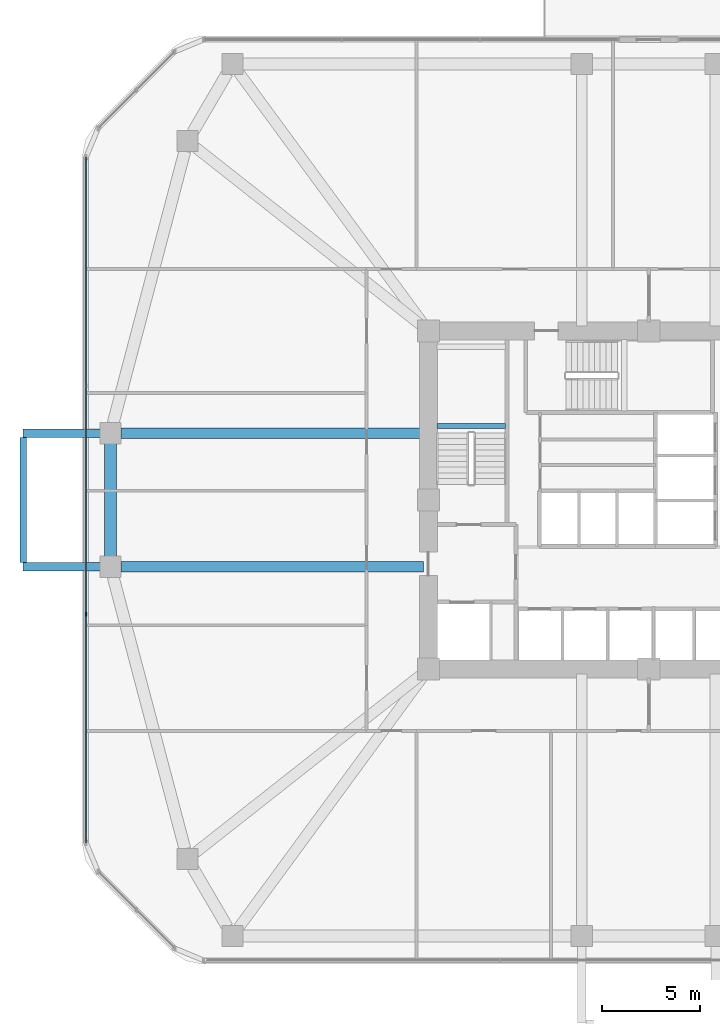
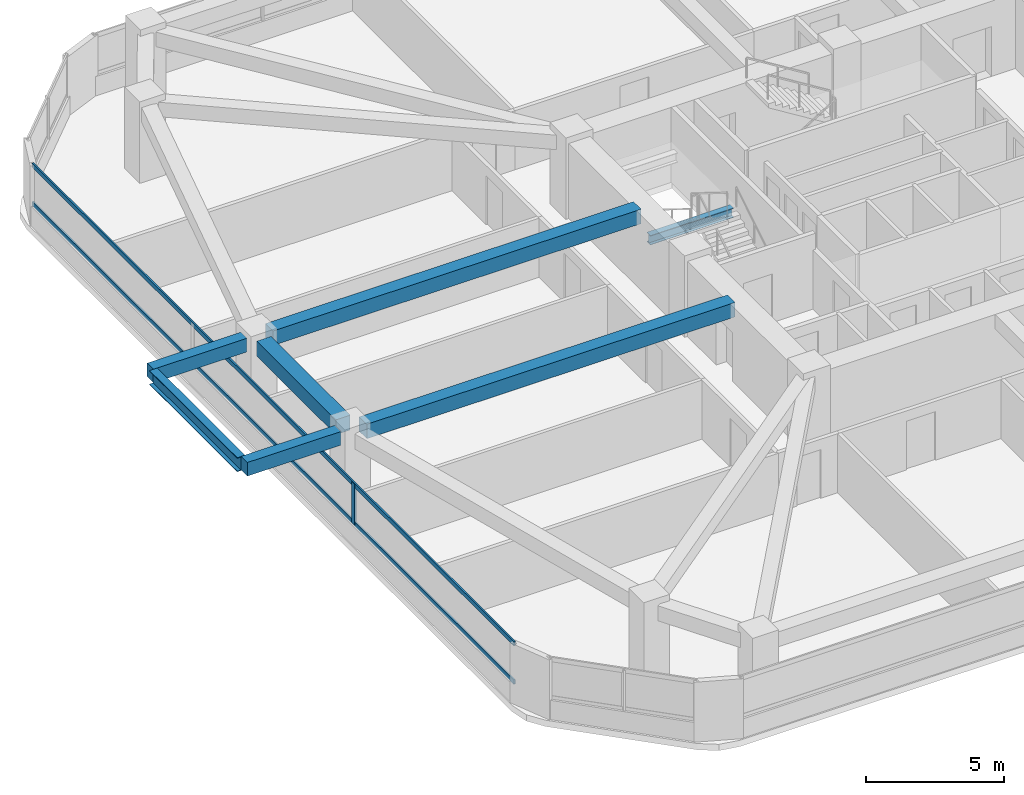
# One storey, part 4 of 14: 7 beams, 3 members, 1 element without a shape of its own.
"""IFC4 building model written with IfcOpenShell, lengths in metres."""

from ifc_helpers import new_model, si_unit, derived_unit, direction, frame, origin, origin_2d, place, context, subcontext, project, spatial, rectangle, i_section, extrude, material, material_profile, profile_set, type_object, element, aggregate, save


model = new_model("IFC4")

# Units and contexts
model_context = context("Model", 3, precision=1e-05, world=origin(), true_north=direction((0.0, 1.0)))
body_context = subcontext(model_context, "Body", "Model", "MODEL_VIEW")
ifc_project = project(units=[si_unit("LENGTHUNIT", "METRE"), si_unit("AREAUNIT", "SQUARE_METRE"), si_unit("VOLUMEUNIT", "CUBIC_METRE"), si_unit("PLANEANGLEUNIT", "RADIAN"), si_unit("MASSUNIT", "GRAM", prefix="KILO"), derived_unit("THERMALTRANSMITTANCEUNIT", [(si_unit("POWERUNIT", "WATT"), 1), (si_unit("LENGTHUNIT", "METRE"), -2), (si_unit("THERMODYNAMICTEMPERATUREUNIT", "KELVIN"), -1)])], contexts=[model_context])

# Site, building, storey
site_placement = place(None, origin())
site = spatial("IfcSite", under=ifc_project, at=site_placement, CompositionType="ELEMENT")
building_placement = place(site_placement, origin())
building = spatial("IfcBuilding", under=site, at=building_placement, Name="Koralith Skygarden Medical Center", CompositionType="ELEMENT")
storey_placement = place(building_placement, frame((0.0, 0.0, 45.5400390625)))
storey = spatial("IfcBuildingStorey", under=building, at=storey_placement, Name="L11", CompositionType="ELEMENT", Elevation=45.5400390625)

# Curtain wall, members
ifc_material_1 = material(Name="Clear Laminated Glass", Category="glass")
curtain_wall_type = type_object("IfcCurtainWallType", Name="CW-2 Zone 1 Hurricane Unitised Curtain Wall", PredefinedType="NOTDEFINED", material=ifc_material_1)
curtain_wall_placement = place(storey_placement, origin())
curtain_wall = element("IfcCurtainWall", 1, at=curtain_wall_placement, inside=storey, type_object=curtain_wall_type, Name="Curtain Wall CW-L11-W", PredefinedType="NOTDEFINED")
ifc_material_2 = material(Name="Aluminium 6063-T6", Category="aluminium")
ifc_material_profile_1 = material_profile(ifc_material_2, rectangle(XDim=0.071044921875, YDim=0.219970703125, at=origin_2d()), Name="MUL71X220")
ifc_profile_set_1 = profile_set([ifc_material_profile_1], Name="Aluminium 6063-T6")
member_type_1 = type_object("IfcMemberType", Name="CW-2 Extruded Mullion 71x220", PredefinedType="MULLION", material=ifc_profile_set_1)
member_1_placement = place(storey_placement, frame((8.3798828125, 20.0849609375, 0.849853515625), z_axis=(0.0, 0.0, 1.0), x_axis=(1.0, 0.0, 0.0)))
member_1 = element("IfcMember", 2, at=member_1_placement, type_object=member_type_1, Name="CW-L11-W Mullion 3", PredefinedType="MULLION", context=body_context, shape_type="SweptSolid", body=[
    extrude(rectangle(XDim=0.071044921875, YDim=0.219970703125, at=origin_2d()), origin(), (0.0, 0.0, 1.0), 1.800048828125),
])
ifc_material_profile_2 = material_profile(ifc_material_2, rectangle(XDim=0.06591796875, YDim=0.197998046875, at=origin_2d()), Name="TRN66X198")
ifc_profile_set_2 = profile_set([ifc_material_profile_2], Name="Aluminium 6063-T6")
member_type_2 = type_object("IfcMemberType", Name="CW-2 Thermal Transom 66x198", PredefinedType="USERDEFINED", material=ifc_profile_set_2)
member_2_placement = place(storey_placement, frame((8.3798828125, 43.344970703125, 0.89990234375), z_axis=(0.0, -1.0, 0.0), x_axis=(1.0, 0.0, 0.0)))
member_2 = element("IfcMember", 3, at=member_2_placement, type_object=member_type_2, Name="CW-L11-W Transom 1", ObjectType="TRANSOM", PredefinedType="USERDEFINED", context=body_context, shape_type="SweptSolid", body=[
    extrude(rectangle(XDim=0.06591796875, YDim=0.197998046875, at=origin_2d()), origin(), (0.0, 0.0, 1.0), 34.889892578125),
])
member_3_placement = place(storey_placement, frame((8.3798828125, 43.344970703125, 2.599853515625), z_axis=(0.0, -1.0, 0.0), x_axis=(1.0, 0.0, 0.0)))
member_3 = element("IfcMember", 4, at=member_3_placement, type_object=member_type_2, Name="CW-L11-W Transom 2", ObjectType="TRANSOM", PredefinedType="USERDEFINED", context=body_context, shape_type="SweptSolid", body=[
    extrude(rectangle(XDim=0.06591796875, YDim=0.197998046875, at=origin_2d()), origin(), (0.0, 0.0, 1.0), 34.889892578125),
])
aggregate(curtain_wall, [member_1, member_2, member_3])

# Beams
ifc_material_3 = material(Name="Steel ASTM A992 Grade 50", Category="steel")
ifc_material_profile_3 = material_profile(ifc_material_3, i_section(OverallWidth=0.326904296875, OverallDepth=0.6220703125, WebThickness=0.015380859375, FlangeThickness=0.0244140625, at=origin_2d()), Name="W24X131")
ifc_profile_set_3 = profile_set([ifc_material_profile_3], Name="Steel ASTM A992 Grade 50")
beam_type_1 = type_object("IfcBeamType", Name="Cantilever Tie Beam W24X131", PredefinedType="BEAM", material=ifc_profile_set_3)
beam_1_placement = place(storey_placement, frame((5.179931640625, 22.719970703125, 3.029052734375), z_axis=(0.0, 1.0, 0.0), x_axis=(-1.0, 0.0, 0.0)))
element("IfcBeam", 5, at=beam_1_placement, inside=storey, type_object=beam_type_1, Name="L12 W Balcony Tip Tie Beam", PredefinedType="BEAM", context=body_context, shape_type="SweptSolid", body=[
    extrude(i_section(OverallWidth=0.326904296875, OverallDepth=0.6220703125, WebThickness=0.015380859375, FlangeThickness=0.0244140625, at=origin_2d()), origin(), (0.0, 0.0, 1.0), 6.360107421875),
])
ifc_material_profile_4 = material_profile(ifc_material_3, i_section(OverallWidth=0.260009765625, OverallDepth=0.4150390625, WebThickness=0.010009765625, FlangeThickness=0.016845703125, at=origin_2d()), Name="W16X67")
ifc_profile_set_4 = profile_set([ifc_material_profile_4], Name="Steel ASTM A992 Grade 50")
beam_type_2 = type_object("IfcBeamType", Name="Clinical Floor Joist W16X67", PredefinedType="JOIST", material=ifc_profile_set_4)
beam_2_placement = place(storey_placement, frame((26.22998046875, 29.659912109375, 1.391845703125), z_axis=(1.0, 0.0, 0.0), x_axis=(0.0, 1.0, 0.0)))
element("IfcBeam", 6, at=beam_2_placement, inside=storey, type_object=beam_type_2, Name="L11 Stair ST1 Half-Landing Support Beam 1A", PredefinedType="JOIST", context=body_context, shape_type="SweptSolid", body=[
    extrude(i_section(OverallWidth=0.260009765625, OverallDepth=0.4150390625, WebThickness=0.010009765625, FlangeThickness=0.016845703125, at=origin_2d()), origin(), (0.0, 0.0, 1.0), 3.489990234375),
])
ifc_material_4 = material(Name="Concrete C45/55", Category="concrete")
ifc_material_profile_5 = material_profile(ifc_material_4, rectangle(XDim=0.449951171875, YDim=0.60009765625, at=origin_2d()), Name="RCB450X600")
ifc_profile_set_5 = profile_set([ifc_material_profile_5], Name="Concrete C45/55")
beam_type_3 = type_object("IfcBeamType", Name="Planted Balcony Cantilever Beam RCB450X600", PredefinedType="BEAM", material=ifc_profile_set_5)
for number, where, z_axis, x_axis, name in (
    (7, (9.10009765625, 22.5, 3.0400390625), (-1.0, 0.0, 0.0), (0.0, -1.0, 0.0), "L12 W Balcony Cantilever Beam A"),
    (8, (9.10009765625, 29.300048828125, 3.0400390625), (-1.0, 0.0, 0.0), (0.0, -1.0, 0.0), "L12 W Balcony Cantilever Beam B"),
):
    element("IfcBeam", number, at=place(storey_placement, frame(where, z_axis=z_axis, x_axis=x_axis)), inside=storey, type_object=beam_type_3, Name=name, PredefinedType="BEAM", context=body_context, shape_type="SweptSolid", body=[
        extrude(rectangle(XDim=0.449951171875, YDim=0.60009765625, at=origin_2d()), origin(), (0.0, 0.0, 1.0), 3.920166015625),
    ])
ifc_material_profile_6 = material_profile(ifc_material_4, rectangle(XDim=0.550048828125, YDim=0.639892578125, at=origin_2d()), Name="RCB550X640")
ifc_profile_set_6 = profile_set([ifc_material_profile_6], Name="Concrete C45/55")
beam_type_4 = type_object("IfcBeamType", Name="Radial Collector Beam RCB550X640", PredefinedType="BEAM", material=ifc_profile_set_6)
for number, where, z_axis, x_axis, name in (
    (9, (25.550048828125, 22.5, 3.0), (-1.0, 0.0, 0.0), (0.0, -1.0, 0.0), "L11 Radial Collector Beam RB-01"),
    (10, (25.550048828125, 29.300048828125, 3.0), (-1.0, 0.0, 0.0), (0.0, -1.0, 0.0), "L11 Radial Collector Beam RB-16"),
):
    element("IfcBeam", number, at=place(storey_placement, frame(where, z_axis=z_axis, x_axis=x_axis)), inside=storey, type_object=beam_type_4, Name=name, PredefinedType="BEAM", context=body_context, shape_type="SweptSolid", body=[
        extrude(rectangle(XDim=0.550048828125, YDim=0.639892578125, at=origin_2d()), origin(), (0.0, 0.0, 1.0), 15.400146484375),
    ])
ifc_material_profile_7 = material_profile(ifc_material_4, rectangle(XDim=0.60009765625, YDim=0.659912109375, at=origin_2d()), Name="RCB600X660")
ifc_profile_set_7 = profile_set([ifc_material_profile_7], Name="Concrete C45/55")
beam_type_5 = type_object("IfcBeamType", Name="Zone 1 Spandrel Beam RCB600X660", PredefinedType="SPANDREL", material=ifc_profile_set_7)
beam_3_placement = place(storey_placement, frame((9.6201171875, 28.77001953125, 2.989990234375), z_axis=(0.0, -1.0, 0.0), x_axis=(1.0, 0.0, 0.0)))
element("IfcBeam", 11, at=beam_3_placement, inside=storey, type_object=beam_type_5, Name="L11 Perimeter Spandrel Beam SP-16", PredefinedType="SPANDREL", context=body_context, shape_type="SweptSolid", body=[
    extrude(rectangle(XDim=0.60009765625, YDim=0.659912109375, at=origin_2d()), origin(), (0.0, 0.0, 1.0), 5.739990234375),
])

save(model, "model.ifc")
